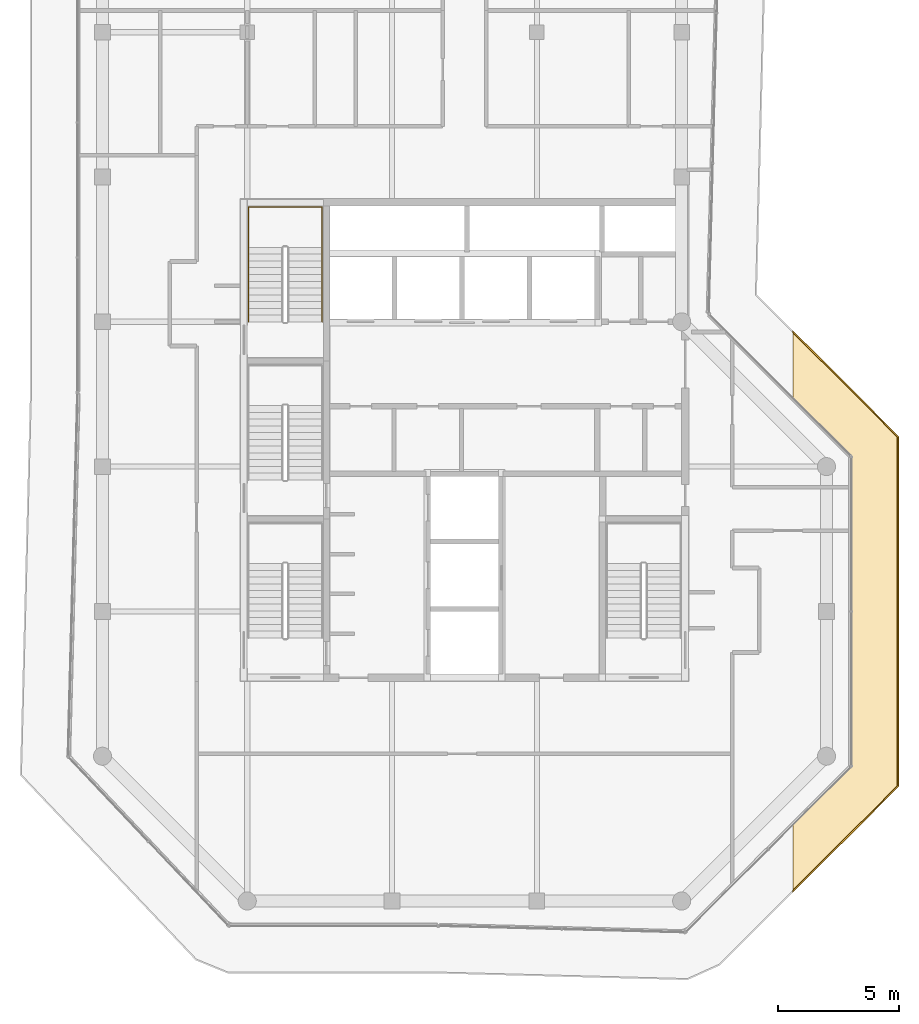
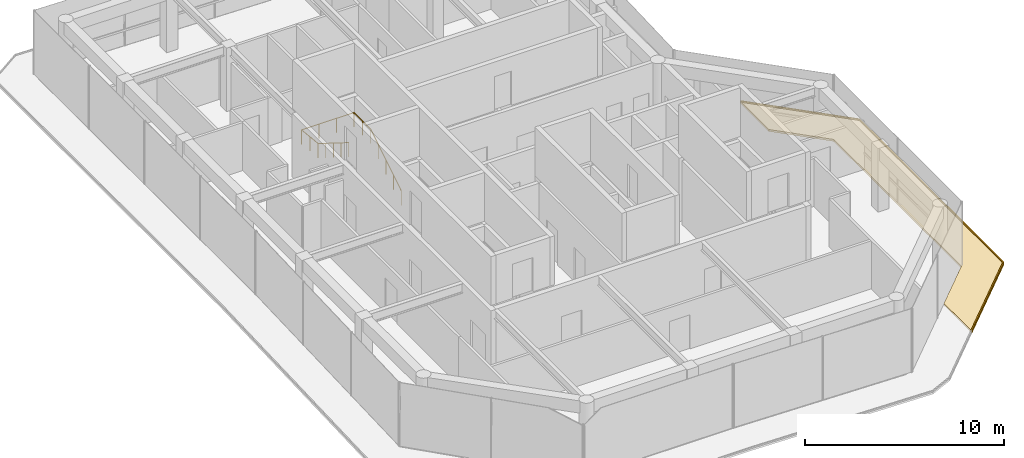
# One storey, part 15 of 15: 2 coverings, 1 railing.
"""IFC4 building model written with IfcOpenShell, lengths in metres."""

from ifc_helpers import new_model, si_unit, direction, frame, origin, origin_2d, place, context, subcontext, project, spatial, polyline, circle, outline, extrude, material, layer, layer_set, type_object, element, save


model = new_model("IFC4")

# Units and contexts
model_context = context("Model", 3, precision=1e-05, world=origin(), true_north=direction((0.0, 1.0)))
body_context = subcontext(model_context, "Body", "Model", "MODEL_VIEW")
ifc_project = project(units=[si_unit("LENGTHUNIT", "METRE"), si_unit("AREAUNIT", "SQUARE_METRE"), si_unit("VOLUMEUNIT", "CUBIC_METRE"), si_unit("PLANEANGLEUNIT", "RADIAN"), si_unit("MASSUNIT", "GRAM", prefix="KILO")], contexts=[model_context])

# Site, building, storey
site_placement = place(None, origin())
site = spatial("IfcSite", under=ifc_project, at=site_placement, CompositionType="ELEMENT")
building_placement = place(site_placement, origin())
building = spatial("IfcBuilding", under=site, at=building_placement, Name="Welwitschia Terrace Campus", CompositionType="ELEMENT")
storey_placement = place(building_placement, frame((0.0, 0.0, 339.800048828125)))
storey = spatial("IfcBuildingStorey", under=building, at=storey_placement, Name="L76", CompositionType="ELEMENT", Elevation=339.800048828125)

# Railing
ifc_material_1 = material(Name="Steel S355", Category="steel")
railing_type = type_object("IfcRailingType", Name="Stair handrail 900", PredefinedType="HANDRAIL", material=ifc_material_1)
railing_placement = place(storey_placement, frame((9.10009765625, 20.0, 0.175048828125)))
element("IfcRailing", 1, at=railing_placement, inside=storey, type_object=railing_type, Name="L76 S4 stair handrail", PredefinedType="HANDRAIL", context=body_context, shape_type="SweptSolid", body=[
    extrude(circle(Radius=0.02392578125, at=origin_2d()), frame((0.0, 0.0, 0.8759765625), z_axis=(0.0, 0.848028513186, 0.529950602248), x_axis=(-1.0, 0.0, 0.0)), (0.0, 0.0, 1.0), 3.632080078125),
    extrude(circle(Radius=0.02392578125, at=origin_2d()), frame((0.0, 3.080078125, 2.80078125), z_axis=(0.0, 1.0, 0.0), x_axis=(-1.0, 0.0, 0.0)), (0.0, 0.0, 1.0), 1.669921875),
    extrude(circle(Radius=0.02392578125, at=origin_2d()), frame((0.0, 4.75, 2.80078125), z_axis=(-1.0, 0.0, 0.0), x_axis=(0.0, -1.0, 0.0)), (0.0, 0.0, 1.0), 3.050048828125),
    extrude(circle(Radius=0.02392578125, at=origin_2d()), frame((-3.050048828125, 4.75, 2.80078125), z_axis=(0.0, -0.99455077262, 0.104253348533), x_axis=(1.0, 0.0, 0.0)), (0.0, 0.0, 1.0), 1.678955078125),
    extrude(circle(Radius=0.02392578125, at=origin_2d()), frame((-3.050048828125, 3.080078125, 2.9755859375), z_axis=(0.0, -0.847998304005, 0.529998940003), x_axis=(1.0, 0.0, 0.0)), (0.0, 0.0, 1.0), 3.632080078125),
    extrude(circle(Radius=0.02099609375, at=origin_2d()), origin(), (0.0, 0.0, 1.0), 0.851806640625),
    extrude(circle(Radius=0.02099609375, at=origin_2d()), frame((0.0, 0.77001953125, 0.481201171875)), (0.0, 0.0, 1.0), 0.851806640625),
    extrude(circle(Radius=0.02099609375, at=origin_2d()), frame((0.0, 1.5400390625, 0.96240234375)), (0.0, 0.0, 1.0), 0.851806640625),
    extrude(circle(Radius=0.02099609375, at=origin_2d()), frame((0.0, 2.31005859375, 1.443603515625)), (0.0, 0.0, 1.0), 0.851806640625),
    extrude(circle(Radius=0.02099609375, at=origin_2d()), frame((0.0, 3.080078125, 1.9248046875)), (0.0, 0.0, 1.0), 0.851806640625),
    extrude(circle(Radius=0.02099609375, at=origin_2d()), frame((0.0, 3.9150390625, 1.9248046875)), (0.0, 0.0, 1.0), 0.851806640625),
    extrude(circle(Radius=0.02099609375, at=origin_2d()), frame((0.0, 4.75, 1.9248046875)), (0.0, 0.0, 1.0), 0.851806640625),
    extrude(circle(Radius=0.02099609375, at=origin_2d()), frame((-1.0166015625, 4.75, 1.9248046875)), (0.0, 0.0, 1.0), 0.851806640625),
    extrude(circle(Radius=0.02099609375, at=origin_2d()), frame((-2.033447265625, 4.75, 1.9248046875)), (0.0, 0.0, 1.0), 0.851806640625),
    extrude(circle(Radius=0.02099609375, at=origin_2d()), frame((-3.050048828125, 4.75, 1.9248046875)), (0.0, 0.0, 1.0), 0.851806640625),
    extrude(circle(Radius=0.02099609375, at=origin_2d()), frame((-3.050048828125, 3.9150390625, 2.01220703125)), (0.0, 0.0, 1.0), 0.851806640625),
    extrude(circle(Radius=0.02099609375, at=origin_2d()), frame((-3.050048828125, 3.080078125, 2.099853515625)), (0.0, 0.0, 1.0), 0.851806640625),
    extrude(circle(Radius=0.02099609375, at=origin_2d()), frame((-3.050048828125, 2.31005859375, 2.5810546875)), (0.0, 0.0, 1.0), 0.851806640625),
    extrude(circle(Radius=0.02099609375, at=origin_2d()), frame((-3.050048828125, 1.5400390625, 3.0625)), (0.0, 0.0, 1.0), 0.851806640625),
    extrude(circle(Radius=0.02099609375, at=origin_2d()), frame((-3.050048828125, 0.77001953125, 3.543701171875)), (0.0, 0.0, 1.0), 0.851806640625),
    extrude(circle(Radius=0.02099609375, at=origin_2d()), frame((-3.050048828125, 0.0, 4.02490234375)), (0.0, 0.0, 1.0), 0.851806640625),
])

# Coverings
ifc_material_2 = material(Name="Bronze anodised aluminium", Category="aluminium")
ifc_layer_1 = layer(ifc_material_2, 0.1201171875)
ifc_layer_set_1 = layer_set([ifc_layer_1], Name="Bronze anodised aluminium")
covering_type_1 = type_object("IfcCoveringType", Name="Sunshade band 2000", PredefinedType="USERDEFINED", material=ifc_layer_set_1)
covering_1_placement = place(storey_placement, frame((0.0, 0.0, -0.199951171875)))
element("IfcCovering", 2, at=covering_1_placement, inside=storey, type_object=covering_type_1, Name="SUNSHADE L76.SE0", ObjectType="SUNSHADE", PredefinedType="USERDEFINED", context=body_context, shape_type="SweptSolid", body=[
    extrude(outline(polyline([(33.0, 15.24267578125), (33.0, 0.75732421875), (28.60498046875, -3.6376953125), (28.60498046875, -0.809326171875), (31.0, 1.585693359375), (31.0, 14.414306640625), (28.60498046875, 16.809326171875), (28.60498046875, 19.6376953125), (33.0, 15.24267578125)])), origin(), (0.0, 0.0, 1.0), 0.119873046875),
])
ifc_material_3 = material(Name="Bronze anodised aluminium", Category="aluminium")
ifc_layer_2 = layer(ifc_material_3, 0.06005859375)
ifc_layer_set_2 = layer_set([ifc_layer_2], Name="Bronze anodised aluminium")
covering_type_2 = type_object("IfcCoveringType", Name="Sunshade lip 60", PredefinedType="USERDEFINED", material=ifc_layer_set_2)
covering_2_placement = place(storey_placement, frame((0.0, 0.0, -0.080078125)))
element("IfcCovering", 3, at=covering_2_placement, inside=storey, type_object=covering_type_2, Name="SUNSHADE LIP L76.SE0.0", ObjectType="SUNSHADE", PredefinedType="USERDEFINED", context=body_context, shape_type="SweptSolid", body=[
    extrude(outline(polyline([(33.0, 0.75732421875), (28.60498046875, -3.6376953125), (28.60498046875, -3.552734375), (32.93994140625, 0.7822265625), (32.93994140625, 15.2177734375), (28.60498046875, 19.552734375), (28.60498046875, 19.6376953125), (33.0, 15.24267578125), (33.0, 0.75732421875)])), origin(), (0.0, 0.0, 1.0), 0.080078125),
])

save(model, "model.ifc")
